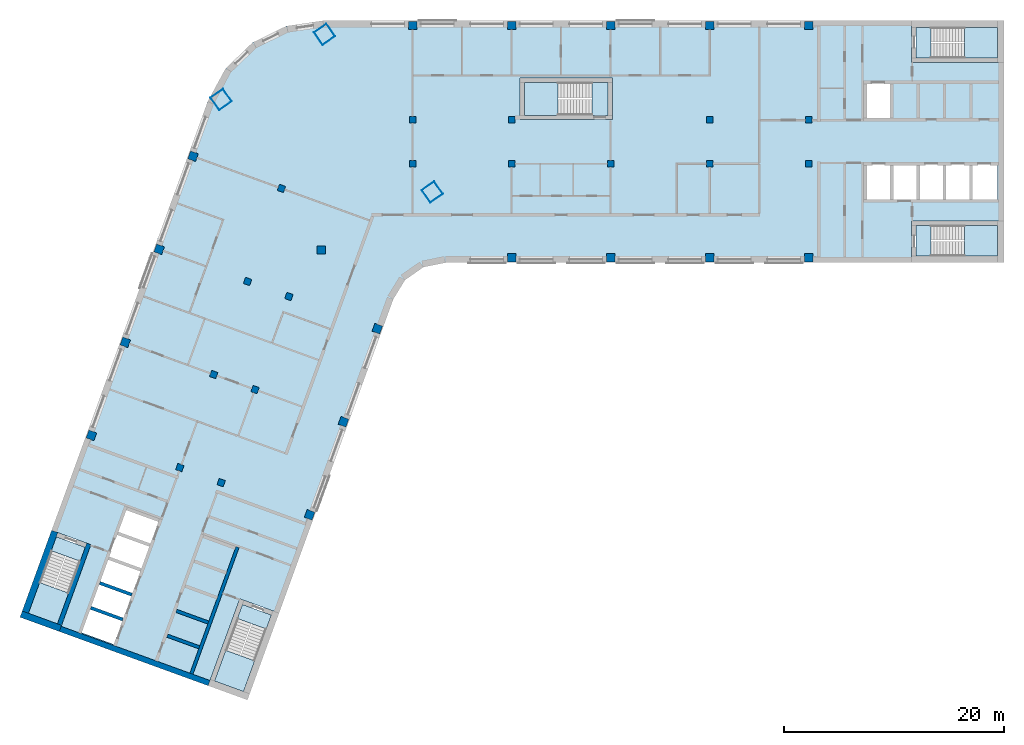
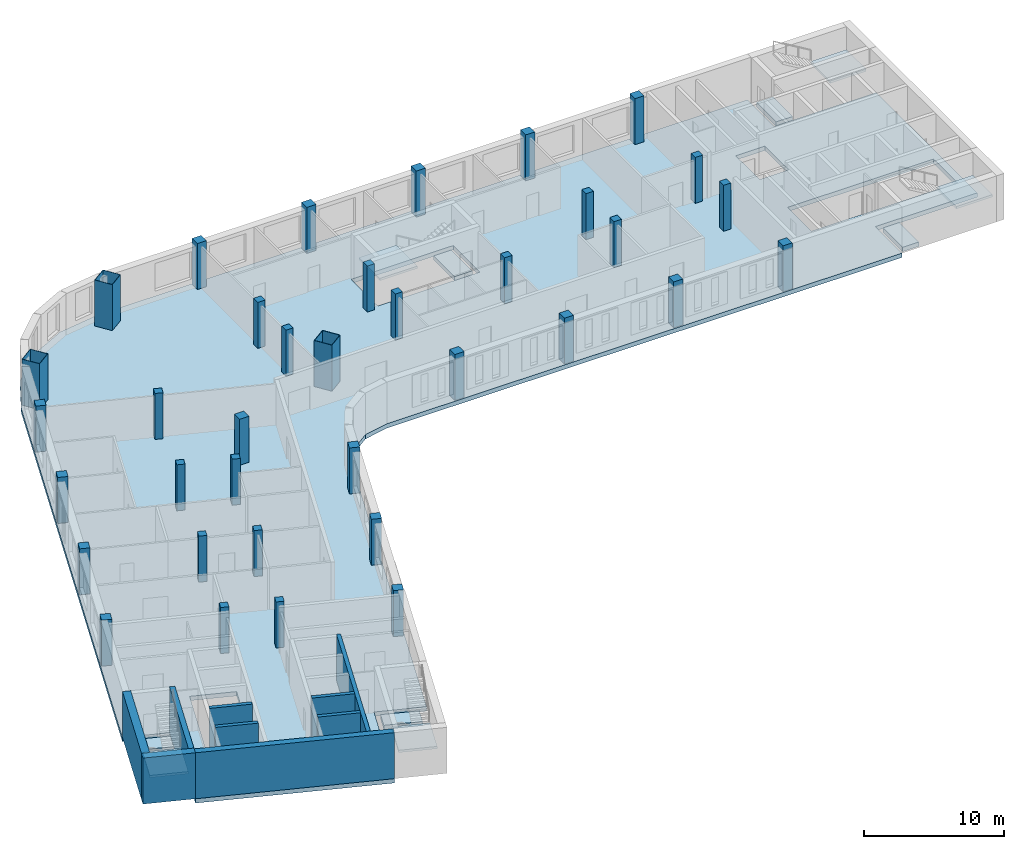
# One storey, part 1 of 8: 36 columns, 11 slabs, 9 walls, 5 elements without a shape of their own.
"""IFC4 building model written with IfcOpenShell, lengths in metres."""

from ifc_helpers import new_model, si_unit, direction, frame, frame_2d, origin, origin_2d, place, context, subcontext, project, spatial, polyline, rectangle, hollow_rectangle, outline, extrude, material, layer, layer_set, material_profile, profile_set, type_object, element, aggregate, save


model = new_model("IFC4")

# Units and contexts
model_context = context("Model", 3, precision=1e-05, world=origin(), true_north=direction((0.0, 1.0)))
body_context = subcontext(model_context, "Body", "Model", "MODEL_VIEW")
ifc_project = project(units=[si_unit("LENGTHUNIT", "METRE"), si_unit("AREAUNIT", "SQUARE_METRE"), si_unit("VOLUMEUNIT", "CUBIC_METRE"), si_unit("PLANEANGLEUNIT", "RADIAN"), si_unit("MASSUNIT", "GRAM", prefix="KILO")], contexts=[model_context])

# Site, building, storey
site_placement = place(None, origin())
site = spatial("IfcSite", under=ifc_project, at=site_placement, CompositionType="ELEMENT")
building_placement = place(site_placement, origin())
building = spatial("IfcBuilding", under=site, at=building_placement, Name="Skarvind Civic Tower", CompositionType="ELEMENT")
storey_placement = place(building_placement, frame((0.0, 0.0, 208.0)))
storey = spatial("IfcBuildingStorey", under=building, at=storey_placement, Name="L49", CompositionType="ELEMENT", Elevation=208.0)

# Columns
ifc_material_1 = material(Name="Concrete C60", Category="concrete")
ifc_material_profile_1 = material_profile(ifc_material_1, rectangle(XDim=0.60009765625, YDim=0.60009765625, at=origin_2d()), Name="RC-600x600")
ifc_profile_set_1 = profile_set([ifc_material_profile_1], Name="Concrete C60")
column_type_1 = type_object("IfcColumnType", Name="Column RC-600x600 C60", PredefinedType="COLUMN", material=ifc_profile_set_1)
for number, where, z_axis, x_axis, name in (
    (1, (54.25, 130.0, 0.0), (0.0, 0.0, 1.0), (1.0, 0.0, 0.0), "Column wing 1 north inner 02 L49"),
    (2, (63.25, 130.0, 0.0), (0.0, 0.0, 1.0), (1.0, 0.0, 0.0), "Column wing 1 north inner 03 L49"),
    (3, (81.25, 130.0, 0.0), (0.0, 0.0, 1.0), (1.0, 0.0, 0.0), "Column wing 1 north inner 05 L49"),
    (4, (90.25, 130.0, 0.0), (0.0, 0.0, 1.0), (1.0, 0.0, 0.0), "Column wing 1 north inner 06 L49"),
    (5, (54.25, 126.0, 0.0), (0.0, 0.0, 1.0), (1.0, 0.0, 0.0), "Column wing 1 south inner 02 L49"),
    (6, (63.25, 126.0, 0.0), (0.0, 0.0, 1.0), (1.0, 0.0, 0.0), "Column wing 1 south inner 03 L49"),
    (7, (72.25, 126.0, 0.0), (0.0, 0.0, 1.0), (1.0, 0.0, 0.0), "Column wing 1 south inner 04 L49"),
    (8, (81.25, 126.0, 0.0), (0.0, 0.0, 1.0), (1.0, 0.0, 0.0), "Column wing 1 south inner 05 L49"),
    (9, (90.25, 126.0, 0.0), (0.0, 0.0, 1.0), (1.0, 0.0, 0.0), "Column wing 1 south inner 06 L49"),
    (10, (43.005615234375, 113.92529296875, 0.0), (0.0, 0.0, 1.0), (-0.342020143326, -0.939692620786, 0.0), "Column wing 2 left inner 02 L49"),
    (11, (39.927490234375, 105.468017578125, 0.0), (0.0, 0.0, 1.0), (-0.342020143326, -0.939692620786, 0.0), "Column wing 2 left inner 03 L49"),
    (12, (36.84912109375, 97.010986328125, 0.0), (0.0, 0.0, 1.0), (-0.342020143326, -0.939692620786, 0.0), "Column wing 2 left inner 04 L49"),
    (13, (42.324951171875, 123.750732421875, 0.0), (0.0, 0.0, 1.0), (-0.342020143326, -0.939692620786, 0.0), "Column wing 2 right inner 01 L49"),
    (14, (39.246826171875, 115.29345703125, 0.0), (0.0, 0.0, 1.0), (-0.342020143326, -0.939692620786, 0.0), "Column wing 2 right inner 02 L49"),
    (15, (36.168701171875, 106.836181640625, 0.0), (0.0, 0.0, 1.0), (-0.342020143326, -0.939692620786, 0.0), "Column wing 2 right inner 03 L49"),
    (16, (33.090576171875, 98.37890625, 0.0), (0.0, 0.0, 1.0), (-0.342020143326, -0.939692620786, 0.0), "Column wing 2 right inner 04 L49"),
):
    element("IfcColumn", number, at=place(storey_placement, frame(where, z_axis=z_axis, x_axis=x_axis)), inside=storey, type_object=column_type_1, Name=name, PredefinedType="COLUMN", context=body_context, shape_type="SweptSolid", body=[
        extrude(rectangle(XDim=0.60009765625, YDim=0.60009765625, at=origin_2d()), origin(), (0.0, 0.0, 1.0), 4.0),
    ])
ifc_material_profile_2 = material_profile(ifc_material_1, rectangle(XDim=0.75, YDim=0.75, at=origin_2d()), Name="RC-750x750")
ifc_profile_set_2 = profile_set([ifc_material_profile_2], Name="Concrete C60")
column_type_2 = type_object("IfcColumnType", Name="Column RC-750x750 C60", PredefinedType="COLUMN", material=ifc_profile_set_2)
for number, where, z_axis, x_axis, name in (
    (17, (54.25, 138.550048828125, 0.0), (0.0, 0.0, 1.0), (1.0, 0.0, 0.0), "Column wing 1 north perimeter 02 L49"),
    (18, (63.25, 138.550048828125, 0.0), (0.0, 0.0, 1.0), (1.0, 0.0, 0.0), "Column wing 1 north perimeter 03 L49"),
    (19, (72.25, 138.550048828125, 0.0), (0.0, 0.0, 1.0), (1.0, 0.0, 0.0), "Column wing 1 north perimeter 04 L49"),
    (20, (81.25, 138.550048828125, 0.0), (0.0, 0.0, 1.0), (1.0, 0.0, 0.0), "Column wing 1 north perimeter 05 L49"),
    (21, (90.25, 138.550048828125, 0.0), (0.0, 0.0, 1.0), (1.0, 0.0, 0.0), "Column wing 1 north perimeter 06 L49"),
    (22, (45.95166015625, 118.151611328125, 0.0), (0.0, 0.0, 1.0), (1.0, 0.0, 0.0), "Column wing 1 south perimeter 01 L49"),
    (23, (63.25, 117.449951171875, 0.0), (0.0, 0.0, 1.0), (1.0, 0.0, 0.0), "Column wing 1 south perimeter 03 L49"),
    (24, (72.25, 117.449951171875, 0.0), (0.0, 0.0, 1.0), (1.0, 0.0, 0.0), "Column wing 1 south perimeter 04 L49"),
    (25, (81.25, 117.449951171875, 0.0), (0.0, 0.0, 1.0), (1.0, 0.0, 0.0), "Column wing 1 south perimeter 05 L49"),
    (26, (90.25, 117.449951171875, 0.0), (0.0, 0.0, 1.0), (1.0, 0.0, 0.0), "Column wing 1 south perimeter 06 L49"),
    (27, (51.0400390625, 111.0009765625, 0.0), (0.0, 0.0, 1.0), (-0.342020143326, -0.939692620786, 0.0), "Column wing 2 left perimeter 02 L49"),
    (28, (47.961669921875, 102.5439453125, 0.0), (0.0, 0.0, 1.0), (-0.342020143326, -0.939692620786, 0.0), "Column wing 2 left perimeter 03 L49"),
    (29, (44.883544921875, 94.086669921875, 0.0), (0.0, 0.0, 1.0), (-0.342020143326, -0.939692620786, 0.0), "Column wing 2 left perimeter 04 L49"),
    (30, (34.29052734375, 126.6748046875, 0.0), (0.0, 0.0, 1.0), (-0.342020143326, -0.939692620786, 0.0), "Column wing 2 right perimeter 01 L49"),
    (31, (31.21240234375, 118.2177734375, 0.0), (0.0, 0.0, 1.0), (-0.342020143326, -0.939692620786, 0.0), "Column wing 2 right perimeter 02 L49"),
    (32, (28.13427734375, 109.760498046875, 0.0), (0.0, 0.0, 1.0), (-0.342020143326, -0.939692620786, 0.0), "Column wing 2 right perimeter 03 L49"),
    (33, (25.05615234375, 101.30322265625, 0.0), (0.0, 0.0, 1.0), (-0.342020143326, -0.939692620786, 0.0), "Column wing 2 right perimeter 04 L49"),
):
    element("IfcColumn", number, at=place(storey_placement, frame(where, z_axis=z_axis, x_axis=x_axis)), inside=storey, type_object=column_type_2, Name=name, PredefinedType="COLUMN", context=body_context, shape_type="SweptSolid", body=[
        extrude(rectangle(XDim=0.75, YDim=0.75, at=origin_2d()), origin(), (0.0, 0.0, 1.0), 4.0),
    ])
ifc_material_2 = material(Name="Composite concrete-filled steel tube, Steel SM355 with Concrete C60", Category="concrete")
ifc_material_profile_3 = material_profile(ifc_material_2, hollow_rectangle(XDim=1.39990234375, YDim=1.39990234375, WallThickness=0.031982421875, at=origin_2d()), Name="BOX-1400x1400x32")
ifc_profile_set_3 = profile_set([ifc_material_profile_3], Name="Composite concrete-filled steel tube, Steel SM355 with Concrete C60")
column_type_3 = type_object("IfcColumnType", Name="Mega column BOX-1400x1400x32 filled C60", PredefinedType="COLUMN", material=ifc_profile_set_3)
for number, where, z_axis, x_axis, name in (
    (34, (36.845947265625, 131.837646484375, 0.0), (0.0, 0.0, 1.0), (0.573576436351, -0.819152044289, 0.0), "Mega column 1 L49"),
    (35, (46.2470703125, 137.762451171875, 0.0), (0.0, 0.0, 1.0), (0.573576436351, -0.819152044289, 0.0), "Mega column 2 L49"),
    (36, (56.0361328125, 123.43017578125, 0.0), (0.0, 0.0, 1.0), (0.573576436351, -0.819152044289, 0.0), "Mega column 4 L49"),
):
    element("IfcColumn", number, at=place(storey_placement, frame(where, z_axis=z_axis, x_axis=x_axis)), inside=storey, type_object=column_type_3, Name=name, PredefinedType="COLUMN", context=body_context, shape_type="SweptSolid", body=[
        extrude(hollow_rectangle(XDim=1.39990234375, YDim=1.39990234375, WallThickness=0.031982421875, at=origin_2d()), origin(), (0.0, 0.0, 1.0), 4.0),
    ])

# Slabs
ifc_material_3 = material(Name="Concrete C50", Category="concrete")
ifc_layer_1 = layer(ifc_material_3, 0.375)
ifc_layer_set_1 = layer_set([ifc_layer_1], Name="Floor slab 375 C50")
slab_type_1 = type_object("IfcSlabType", Name="Floor slab 375 C50", PredefinedType="FLOOR", material=ifc_layer_set_1)
slab_1_placement = place(storey_placement, frame((0.0, 0.0, -0.375)))
element("IfcSlab", 37, at=slab_1_placement, inside=storey, type_object=slab_type_1, Name="Floor slab L49 1", PredefinedType="FLOOR", context=body_context, shape_type="SweptSolid", body=[
    extrude(outline(polyline([(99.60009765625, 117.0), (99.60009765625, 120.800048828125), (108.0, 120.800048828125), (108.0, 135.199951171875), (99.60009765625, 135.199951171875), (99.60009765625, 139.0), (46.095458984375, 139.0), (42.739501953125, 138.5009765625), (39.6943359375, 137.005615234375), (37.24755859375, 134.6552734375), (35.630615234375, 131.672607421875), (19.41748046875, 87.126708984375), (21.435302734375, 92.6708984375), (25.006103515625, 91.371337890625), (22.13330078125, 83.477783203125), (36.886474609375, 78.108154296875), (35.664794921875, 78.552734375), (38.53759765625, 86.4462890625), (42.108642578125, 85.146484375), (40.0908203125, 79.602294921875), (40.0908203125, 79.602294921875), (52.493896484375, 113.68017578125), (53.560791015625, 115.421630859375), (55.23388671875, 116.593017578125), (57.235107421875, 117.0), (99.60009765625, 117.0)]), holes=[polyline([(25.671630859375, 87.9365234375), (26.492431640625, 90.19189453125), (27.313232421875, 92.447021484375), (28.134033203125, 94.702392578125), (31.3291015625, 93.53955078125), (30.50830078125, 91.2841796875), (29.6875, 89.029052734375), (28.866455078125, 86.773681640625), (28.866455078125, 86.773681640625), (28.045654296875, 84.5185546875), (27.224853515625, 82.26318359375), (24.02978515625, 83.426025390625), (24.8505859375, 85.681396484375), (25.671630859375, 87.9365234375), (25.671630859375, 87.9365234375)]), polyline([(64.0, 130.0), (64.0, 133.800048828125), (72.39990234375, 133.800048828125), (72.39990234375, 130.0), (64.0, 130.0)]), polyline([(97.800048828125, 126.0), (100.199951171875, 126.0), (102.60009765625, 126.0), (105.0, 126.0), (107.39990234375, 126.0), (107.39990234375, 122.60009765625), (105.0, 122.60009765625), (102.60009765625, 122.60009765625), (100.199951171875, 122.60009765625), (97.800048828125, 122.60009765625), (95.39990234375, 122.60009765625), (95.39990234375, 126.0), (97.800048828125, 126.0)]), polyline([(97.800048828125, 133.39990234375), (97.800048828125, 130.0), (95.39990234375, 130.0), (95.39990234375, 133.39990234375), (97.800048828125, 133.39990234375)])]), origin(), (0.0, 0.0, 1.0), 0.375),
])
ifc_material_4 = material(Name="Concrete C40/50", Category="concrete")
ifc_layer_2 = layer(ifc_material_4, 0.375)
ifc_layer_set_2 = layer_set([ifc_layer_2], Name="Stair floor landing slab 375")
slab_type_2 = type_object("IfcSlabType", Name="Stair floor landing slab 375", PredefinedType="LANDING", material=ifc_layer_set_2)
slab_2_placement = place(storey_placement, frame((0.0, 0.0, -0.375)))
element("IfcSlab", 38, at=slab_2_placement, inside=storey, type_object=slab_type_2, Name="Stair floor landing", PredefinedType="LANDING", context=body_context, shape_type="SweptSolid", body=[
    extrude(outline(polyline([(101.3505859375, 138.400634765625), (101.3505859375, 135.599365234375), (99.99951171875, 135.599365234375), (99.99951171875, 138.400634765625), (101.3505859375, 138.400634765625)])), origin(), (0.0, 0.0, 1.0), 0.375),
])
slab_3_placement = place(storey_placement, frame((0.0, 0.0, -0.375)))
element("IfcSlab", 39, at=slab_3_placement, inside=storey, type_object=slab_type_2, Name="Stair floor landing", PredefinedType="LANDING", context=body_context, shape_type="SweptSolid", body=[
    extrude(outline(polyline([(101.3505859375, 120.400634765625), (101.3505859375, 117.599365234375), (99.99951171875, 117.599365234375), (99.99951171875, 120.400634765625), (101.3505859375, 120.400634765625)])), origin(), (0.0, 0.0, 1.0), 0.375),
])
slab_4_placement = place(storey_placement, frame((0.0, 0.0, -0.375)))
element("IfcSlab", 40, at=slab_4_placement, inside=storey, type_object=slab_type_2, Name="Stair floor landing", PredefinedType="LANDING", context=body_context, shape_type="SweptSolid", body=[
    extrude(outline(polyline([(40.946533203125, 83.70654296875), (38.314208984375, 84.66455078125), (38.7763671875, 85.934326171875), (41.40869140625, 84.976318359375), (40.946533203125, 83.70654296875)])), origin(), (0.0, 0.0, 1.0), 0.375),
])
slab_5_placement = place(storey_placement, frame((0.0, 0.0, -0.375)))
element("IfcSlab", 41, at=slab_5_placement, inside=storey, type_object=slab_type_2, Name="Stair floor landing", PredefinedType="LANDING", context=body_context, shape_type="SweptSolid", body=[
    extrude(outline(polyline([(24.0322265625, 89.863037109375), (21.39990234375, 90.821044921875), (21.862060546875, 92.090576171875), (24.494384765625, 91.132568359375), (24.0322265625, 89.863037109375)])), origin(), (0.0, 0.0, 1.0), 0.375),
])
slab_6_placement = place(storey_placement, frame((0.0, 0.0, -0.375)))
element("IfcSlab", 42, at=slab_6_placement, inside=storey, type_object=slab_type_2, Name="Stair floor landing", PredefinedType="LANDING", context=body_context, shape_type="SweptSolid", body=[
    extrude(outline(polyline([(70.54931640625, 130.3994140625), (70.54931640625, 133.400634765625), (72.00048828125, 133.400634765625), (72.00048828125, 130.3994140625), (70.54931640625, 130.3994140625)])), origin(), (0.0, 0.0, 1.0), 0.375),
])

# Stair, slab
stair_type_1 = type_object("IfcStairType", Name="Exit stair, half-turn, concrete", PredefinedType="HALF_TURN_STAIR", material=ifc_material_4)
stair_1_placement = place(storey_placement, origin())
stair_1 = element("IfcStair", 43, at=stair_1_placement, inside=storey, type_object=stair_type_1, Name="Exit stair C1S", PredefinedType="HALF_TURN_STAIR")
ifc_layer_3 = layer(ifc_material_4, 0.199951171875)
ifc_layer_set_3 = layer_set([ifc_layer_3], Name="Stair half landing slab")
slab_type_3 = type_object("IfcSlabType", Name="Stair half landing slab", PredefinedType="LANDING", material=ifc_layer_set_3)
slab_7_placement = place(storey_placement, frame((0.0, 0.0, 1.800048828125)))
slab_7 = element("IfcSlab", 44, at=slab_7_placement, type_object=slab_type_3, Name="ST-C1S landing 1", PredefinedType="LANDING", context=body_context, shape_type="SweptSolid", body=[
    extrude(outline(polyline([(104.429443359375, 135.599365234375), (104.429443359375, 138.400634765625), (107.400634765625, 138.400634765625), (107.400634765625, 135.599365234375), (104.429443359375, 135.599365234375)])), origin(), (0.0, 0.0, 1.0), 0.199951171875),
])
aggregate(stair_1, [slab_7])

stair_2_placement = place(storey_placement, origin())
stair_2 = element("IfcStair", 45, at=stair_2_placement, inside=storey, type_object=stair_type_1, Name="Exit stair C1N", PredefinedType="HALF_TURN_STAIR")
slab_8_placement = place(storey_placement, frame((0.0, 0.0, 1.800048828125)))
slab_8 = element("IfcSlab", 46, at=slab_8_placement, type_object=slab_type_3, Name="ST-C1N landing 1", PredefinedType="LANDING", context=body_context, shape_type="SweptSolid", body=[
    extrude(outline(polyline([(104.429443359375, 117.599365234375), (104.429443359375, 120.400634765625), (107.400634765625, 120.400634765625), (107.400634765625, 117.599365234375), (104.429443359375, 117.599365234375)])), origin(), (0.0, 0.0, 1.0), 0.199951171875),
])
aggregate(stair_2, [slab_8])

stair_3_placement = place(storey_placement, origin())
stair_3 = element("IfcStair", 47, at=stair_3_placement, inside=storey, type_object=stair_type_1, Name="Exit stair C2S", PredefinedType="HALF_TURN_STAIR")
slab_9_placement = place(storey_placement, frame((0.0, 0.0, 1.800048828125)))
slab_9 = element("IfcSlab", 48, at=slab_9_placement, type_object=slab_type_3, Name="ST-C2S landing 1", PredefinedType="LANDING", context=body_context, shape_type="SweptSolid", body=[
    extrude(outline(polyline([(37.26123046875, 81.771484375), (39.8935546875, 80.8134765625), (38.87744140625, 78.021484375), (36.2451171875, 78.9794921875), (37.26123046875, 81.771484375)])), origin(), (0.0, 0.0, 1.0), 0.199951171875),
])
aggregate(stair_3, [slab_9])

stair_4_placement = place(storey_placement, origin())
stair_4 = element("IfcStair", 49, at=stair_4_placement, inside=storey, type_object=stair_type_1, Name="Exit stair C2N", PredefinedType="HALF_TURN_STAIR")
slab_10_placement = place(storey_placement, frame((0.0, 0.0, 1.800048828125)))
slab_10 = element("IfcSlab", 50, at=slab_10_placement, type_object=slab_type_3, Name="ST-C2N landing 1", PredefinedType="LANDING", context=body_context, shape_type="SweptSolid", body=[
    extrude(outline(polyline([(20.346923828125, 87.927734375), (22.97900390625, 86.9697265625), (21.962890625, 84.177734375), (19.33056640625, 85.1357421875), (20.346923828125, 87.927734375)])), origin(), (0.0, 0.0, 1.0), 0.199951171875),
])
aggregate(stair_4, [slab_10])

stair_type_2 = type_object("IfcStairType", Name="Exit stair 1450, half-turn, concrete", PredefinedType="HALF_TURN_STAIR", material=ifc_material_4)
stair_5_placement = place(storey_placement, origin())
stair_5 = element("IfcStair", 51, at=stair_5_placement, inside=storey, type_object=stair_type_2, Name="Exit stair CM", PredefinedType="HALF_TURN_STAIR")
slab_11_placement = place(storey_placement, frame((0.0, 0.0, 1.800048828125)))
slab_11 = element("IfcSlab", 52, at=slab_11_placement, type_object=slab_type_3, Name="ST-CM landing 1", PredefinedType="LANDING", context=body_context, shape_type="SweptSolid", body=[
    extrude(outline(polyline([(67.470703125, 133.400634765625), (67.470703125, 130.3994140625), (64.3994140625, 130.3994140625), (64.3994140625, 133.400634765625), (67.470703125, 133.400634765625)])), origin(), (0.0, 0.0, 1.0), 0.199951171875),
])
aggregate(stair_5, [slab_11])

# Walls
ifc_layer_4 = layer(ifc_material_1, 0.300048828125)
ifc_layer_set_4 = layer_set([ifc_layer_4], Name="Core wall 300 C60")
wall_type_1 = type_object("IfcWallType", Name="Core wall 300 C60", PredefinedType="SHEAR", material=ifc_layer_set_4)
wall_1_placement = place(storey_placement, frame((34.144287109375, 79.638427734375, 0.0), z_axis=(0.0, 0.0, 1.0), x_axis=(0.342016684409, 0.939693879721, 0.0)))
element("IfcWall", 53, at=wall_1_placement, inside=storey, type_object=wall_type_1, Name="Core wall C2 south lift row back L49", PredefinedType="SHEAR", context=body_context, shape_type="SweptSolid", body=[
    extrude(rectangle(XDim=12.25, YDim=0.300048828125, at=frame_2d((6.125, 0.0))), origin(), (0.0, 0.0, 1.0), 4.0),
])
wall_2_placement = place(storey_placement, frame((34.8583984375, 82.038818359375, 0.0), z_axis=(0.0, 0.0, 1.0), x_axis=(-0.939689908313, 0.342027595692, 0.0)))
element("IfcWall", 54, at=wall_2_placement, inside=storey, type_object=wall_type_1, Name="Core wall C2 south lift row division 1 L49", PredefinedType="SHEAR", context=body_context, shape_type="SweptSolid", body=[
    extrude(rectangle(XDim=3.10009765625, YDim=0.300048828125, at=frame_2d((1.550048828125, 0.0))), origin(), (0.0, 0.0, 1.0), 4.0),
])
wall_3_placement = place(storey_placement, frame((35.67919921875, 84.294189453125, 0.0), z_axis=(0.0, 0.0, 1.0), x_axis=(-0.939706007505, 0.341983361377, 0.0)))
element("IfcWall", 55, at=wall_3_placement, inside=storey, type_object=wall_type_1, Name="Core wall C2 south lift row division 2 L49", PredefinedType="SHEAR", context=body_context, shape_type="SweptSolid", body=[
    extrude(rectangle(XDim=3.099853515625, YDim=0.300048828125, at=frame_2d((1.5498046875, 0.0))), origin(), (0.0, 0.0, 1.0), 4.0),
])
for number, where, z_axis, x_axis, name in (
    (56, (27.90478515625, 84.56982421875, 0.0), (0.0, 0.0, 1.0), (-0.939689908313, 0.342027595692, 0.0), "Core wall C2 north lift row division 1 L49"),
    (57, (28.7255859375, 86.824951171875, 0.0), (0.0, 0.0, 1.0), (-0.939689908313, 0.342027595692, 0.0), "Core wall C2 north lift row division 2 L49"),
):
    element("IfcWall", number, at=place(storey_placement, frame(where, z_axis=z_axis, x_axis=x_axis)), inside=storey, type_object=wall_type_1, Name=name, PredefinedType="SHEAR", context=body_context, shape_type="SweptSolid", body=[
        extrude(rectangle(XDim=3.10009765625, YDim=0.300048828125, at=frame_2d((1.550048828125, 0.0))), origin(), (0.0, 0.0, 1.0), 4.0),
    ])
ifc_layer_5 = layer(ifc_material_1, 0.39990234375)
ifc_layer_set_5 = layer_set([ifc_layer_5], Name="Core wall 400 C60")
wall_type_2 = type_object("IfcWallType", Name="Core wall 400 C60", PredefinedType="SHEAR", material=ifc_layer_set_5)
wall_4_placement = place(storey_placement, frame((22.150390625, 84.110107421875, 0.0), z_axis=(0.0, 0.0, 1.0), x_axis=(0.342016982193, 0.939693771338, 0.0)))
element("IfcWall", 58, at=wall_4_placement, inside=storey, type_object=wall_type_2, Name="Core wall C2 north stair inner L49", PredefinedType="SHEAR", context=body_context, shape_type="SweptSolid", body=[
    extrude(rectangle(XDim=7.800048828125, YDim=0.39990234375, at=frame_2d((3.89990234375, 0.0))), origin(), (0.0, 0.0, 1.0), 4.0),
])
ifc_layer_6 = layer(ifc_material_1, 0.5)
ifc_layer_set_6 = layer_set([ifc_layer_6], Name="Core wall 500 C60")
wall_type_3 = type_object("IfcWallType", Name="Core wall 500 C60", PredefinedType="SHEAR", material=ifc_layer_set_6)
wall_5_placement = place(storey_placement, frame((35.750244140625, 78.787841796875, 0.0), z_axis=(0.0, 0.0, 1.0), x_axis=(-0.939692894512, 0.342019391267, 0.0)))
element("IfcWall", 59, at=wall_5_placement, inside=storey, type_object=wall_type_3, Name="Core wall C2 tip between the stairs L49", PredefinedType="SHEAR", context=body_context, shape_type="SweptSolid", body=[
    extrude(rectangle(XDim=14.39990234375, YDim=0.5, at=frame_2d((7.199951171875, 0.0))), origin(), (0.0, 0.0, 1.0), 4.0),
])
ifc_layer_7 = layer(ifc_material_1, 0.60009765625)
ifc_layer_set_7 = layer_set([ifc_layer_7], Name="Core wall 600 C60")
wall_type_4 = type_object("IfcWallType", Name="Core wall 600 C60", PredefinedType="SHEAR", material=ifc_layer_set_7)
wall_6_placement = place(storey_placement, frame((22.23583984375, 83.759765625, 0.0), z_axis=(0.0, 0.0, 1.0), x_axis=(-0.939680822529, 0.342052557032, 0.0)))
element("IfcWall", 60, at=wall_6_placement, inside=storey, type_object=wall_type_4, Name="Core wall C2 tip at the north stair L49", PredefinedType="SHEAR", context=body_context, shape_type="SweptSolid", body=[
    extrude(rectangle(XDim=3.800048828125, YDim=0.60009765625, at=frame_2d((1.89990234375, 0.0))), origin(), (0.0, 0.0, 1.0), 4.0),
])
wall_7_placement = place(storey_placement, frame((19.049560546875, 85.23876953125, 0.0), z_axis=(0.0, 0.0, 1.0), x_axis=(0.342016982193, 0.939693771338, 0.0)))
element("IfcWall", 61, at=wall_7_placement, inside=storey, type_object=wall_type_4, Name="Core wall C2 north side at the stair L49", PredefinedType="SHEAR", context=body_context, shape_type="SweptSolid", body=[
    extrude(rectangle(XDim=7.800048828125, YDim=0.60009765625, at=frame_2d((3.89990234375, 0.0))), origin(), (0.0, 0.0, 1.0), 4.0),
])

save(model, "model.ifc")
